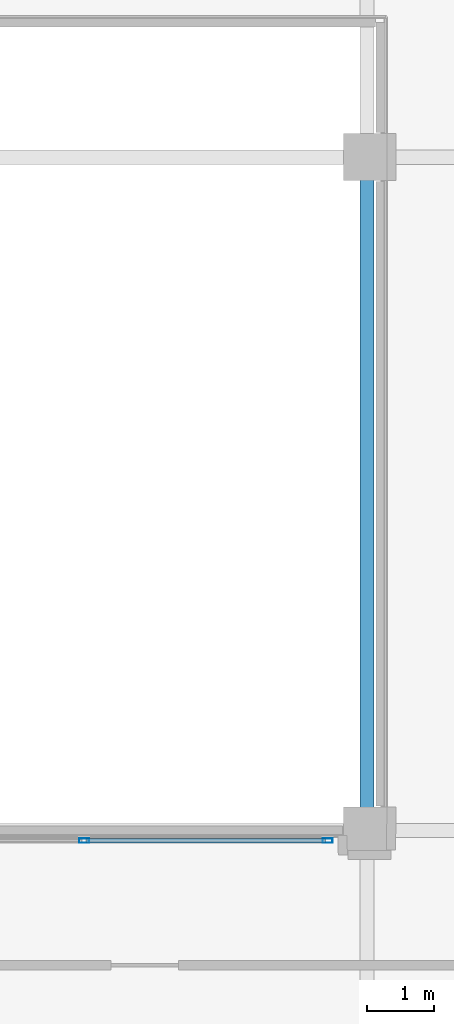
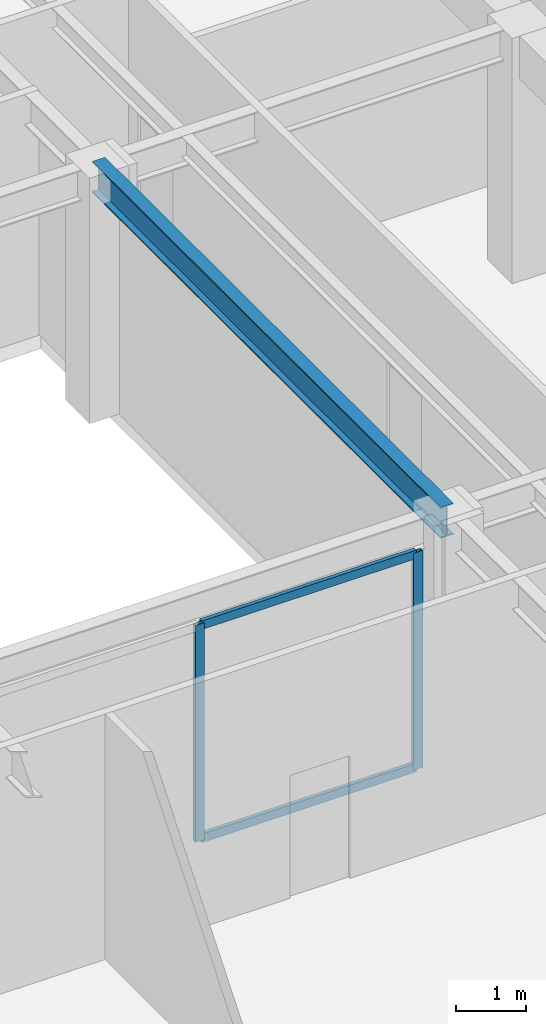
# One storey, part 15 of 25: 4 members, 1 beam, 1 element without a shape of its own.
"""IFC4 building model written with IfcOpenShell, lengths in metres."""

from ifc_helpers import new_model, si_unit, direction, frame, origin, origin_2d, place, context, subcontext, project, spatial, hollow_rectangle, i_section, extrude, source, transform, mapped, material, layer, layer_set, material_profile, profile_set, type_object, type_shapes, element, aggregate, save


model = new_model("IFC4")

# Units and contexts
model_context = context("Model", 3, precision=1e-05, world=origin(), true_north=direction((0.0, 1.0)))
body_context = subcontext(model_context, "Body", "Model", "MODEL_VIEW")
ifc_project = project(units=[si_unit("LENGTHUNIT", "METRE"), si_unit("AREAUNIT", "SQUARE_METRE"), si_unit("VOLUMEUNIT", "CUBIC_METRE"), si_unit("PLANEANGLEUNIT", "RADIAN"), si_unit("MASSUNIT", "GRAM", prefix="KILO")], contexts=[model_context])

# Site, building, storey
site_placement = place(None, origin())
site = spatial("IfcSite", under=ifc_project, at=site_placement, CompositionType="ELEMENT")
building_placement = place(site_placement, origin())
building = spatial("IfcBuilding", under=site, at=building_placement, Name="Talar Marvaseh", CompositionType="ELEMENT")
storey_placement = place(building_placement, frame((0.0, 0.0, 5.199951171875)))
storey = spatial("IfcBuildingStorey", under=building, at=storey_placement, Name="L01", CompositionType="ELEMENT", Elevation=5.199951171875)

# Beam
ifc_material_1 = material(Name="Steel S355", Category="steel")
ifc_material_profile_1 = material_profile(ifc_material_1, i_section(OverallWidth=0.2119140625, OverallDepth=0.5439453125, WebThickness=0.01318359375, FlangeThickness=0.021240234375, at=origin_2d()), Name="W530x123")
ifc_profile_set_1 = profile_set([ifc_material_profile_1], Name="Steel S355")
beam_type = type_object("IfcBeamType", Name="Market Hall Primary Girder W530x123", PredefinedType="BEAM", material=ifc_profile_set_1)
beam_placement = place(storey_placement, frame((70.800048828125, 26.0, 4.028076171875), z_axis=(0.0, 1.0, 0.0), x_axis=(-1.0, 0.0, 0.0)))
element("IfcBeam", 1, at=beam_placement, inside=storey, type_object=beam_type, Name="L01 Market Hall Primary Girder W530x123", PredefinedType="BEAM", context=body_context, shape_type="SweptSolid", body=[
    extrude(i_section(OverallWidth=0.2119140625, OverallDepth=0.5439453125, WebThickness=0.01318359375, FlangeThickness=0.021240234375, at=origin_2d()), origin(), (0.0, 0.0, 1.0), 10.0),
])

# Curtain wall, members
ifc_material_2 = material(Name="Architectural Aluminium", Category="aluminium")
ifc_layer = layer(ifc_material_2, 0.169921875)
ifc_layer_set = layer_set([ifc_layer], Name="Architectural Aluminium")
curtain_wall_type = type_object("IfcCurtainWallType", Name="Market Hall Clerestory and Courtyard Curtain Wall", PredefinedType="NOTDEFINED", material=ifc_layer_set)
curtain_wall_placement = place(storey_placement, origin())
curtain_wall = element("IfcCurtainWall", 2, at=curtain_wall_placement, inside=storey, type_object=curtain_wall_type, Name="L01 Market Hall Clerestory and Courtyard Curtain Wall", PredefinedType="NOTDEFINED")
ifc_material_profile_2 = material_profile(ifc_material_2, hollow_rectangle(XDim=0.06494140625, YDim=0.14990234375, WallThickness=0.00390625, at=origin_2d()), Name="RHS150x65x4")
ifc_profile_set_2 = profile_set([ifc_material_profile_2], Name="Architectural Aluminium")
member_type_1 = type_object("IfcMemberType", Name="Unitised Curtain Wall Slim Mullion RHS150x65x4", PredefinedType="MULLION", material=ifc_profile_set_2)
shared_shape_1 = source(origin(), body_context, "Body", "SweptSolid", [
    extrude(hollow_rectangle(XDim=0.06494140625, YDim=0.14990234375, WallThickness=0.00390625, at=origin_2d()), origin(), (0.0, 0.0, 1.0), 3.800048828125),
])
type_shapes(member_type_1, [shared_shape_1])
member_1_placement = place(storey_placement, frame((66.60009765625, 25.85009765625, 0.0), z_axis=(0.0, 0.0, 1.0), x_axis=(0.0, 1.0, 0.0)))
member_1 = element("IfcMember", 3, at=member_1_placement, type_object=member_type_1, Name="CW-MKT mullion 2", PredefinedType="MULLION", context=body_context, shape_type="MappedRepresentation", body=[
    mapped(shared_shape_1, transform((0.0, 0.0, 0.0), x_axis=(1.0, 0.0, 0.0), y_axis=(0.0, 1.0, 0.0), z_axis=(0.0, 0.0, 1.0), scale=1.0)),
])
member_2_placement = place(storey_placement, frame((70.217529296875, 25.85009765625, 0.0), z_axis=(0.0, 0.0, 1.0), x_axis=(0.0, 1.0, 0.0)))
member_2 = element("IfcMember", 4, at=member_2_placement, type_object=member_type_1, Name="CW-MKT mullion 3", PredefinedType="MULLION", context=body_context, shape_type="MappedRepresentation", body=[
    mapped(shared_shape_1, transform((0.0, 0.0, 0.0), x_axis=(1.0, 0.0, 0.0), y_axis=(0.0, 1.0, 0.0), z_axis=(0.0, 0.0, 1.0), scale=1.0)),
])
ifc_material_profile_3 = material_profile(ifc_material_2, hollow_rectangle(XDim=0.06494140625, YDim=0.14990234375, WallThickness=0.00390625, at=origin_2d()), Name="RHS150x65x4")
ifc_profile_set_3 = profile_set([ifc_material_profile_3], Name="Architectural Aluminium")
member_type_2 = type_object("IfcMemberType", Name="Unitised Curtain Wall Slim Transom RHS150x65x4", PredefinedType="USERDEFINED", material=ifc_profile_set_3)
shared_shape_2 = source(origin(), body_context, "Body", "SweptSolid", [
    extrude(hollow_rectangle(XDim=0.06494140625, YDim=0.14990234375, WallThickness=0.00390625, at=origin_2d()), origin(), (0.0, 0.0, 1.0), 3.552490234375),
])
type_shapes(member_type_2, [shared_shape_2])
member_3_placement = place(storey_placement, frame((66.632568359375, 25.85009765625, 0.032470703125), z_axis=(1.0, 0.0, 0.0), x_axis=(0.0, 1.0, 0.0)))
member_3 = element("IfcMember", 5, at=member_3_placement, type_object=member_type_2, Name="CW-MKT transom 2.1", ObjectType="TRANSOM", PredefinedType="USERDEFINED", context=body_context, shape_type="MappedRepresentation", body=[
    mapped(shared_shape_2, transform((0.0, 0.0, 0.0), x_axis=(1.0, 0.0, 0.0), y_axis=(0.0, 1.0, 0.0), z_axis=(0.0, 0.0, 1.0), scale=1.0)),
])
member_4_placement = place(storey_placement, frame((66.632568359375, 25.85009765625, 3.767578125), z_axis=(1.0, 0.0, 0.0), x_axis=(0.0, 1.0, 0.0)))
member_4 = element("IfcMember", 6, at=member_4_placement, type_object=member_type_2, Name="CW-MKT transom 2.2", ObjectType="TRANSOM", PredefinedType="USERDEFINED", context=body_context, shape_type="MappedRepresentation", body=[
    mapped(shared_shape_2, transform((0.0, 0.0, 0.0), x_axis=(1.0, 0.0, 0.0), y_axis=(0.0, 1.0, 0.0), z_axis=(0.0, 0.0, 1.0), scale=1.0)),
])
aggregate(curtain_wall, [member_1, member_2, member_3, member_4])

save(model, "model.ifc")
